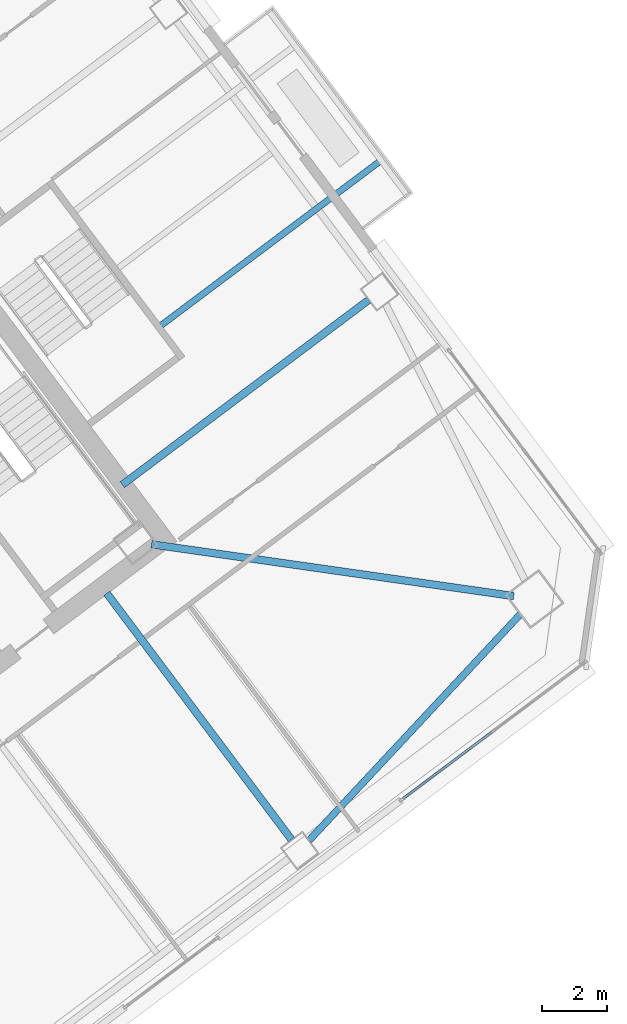
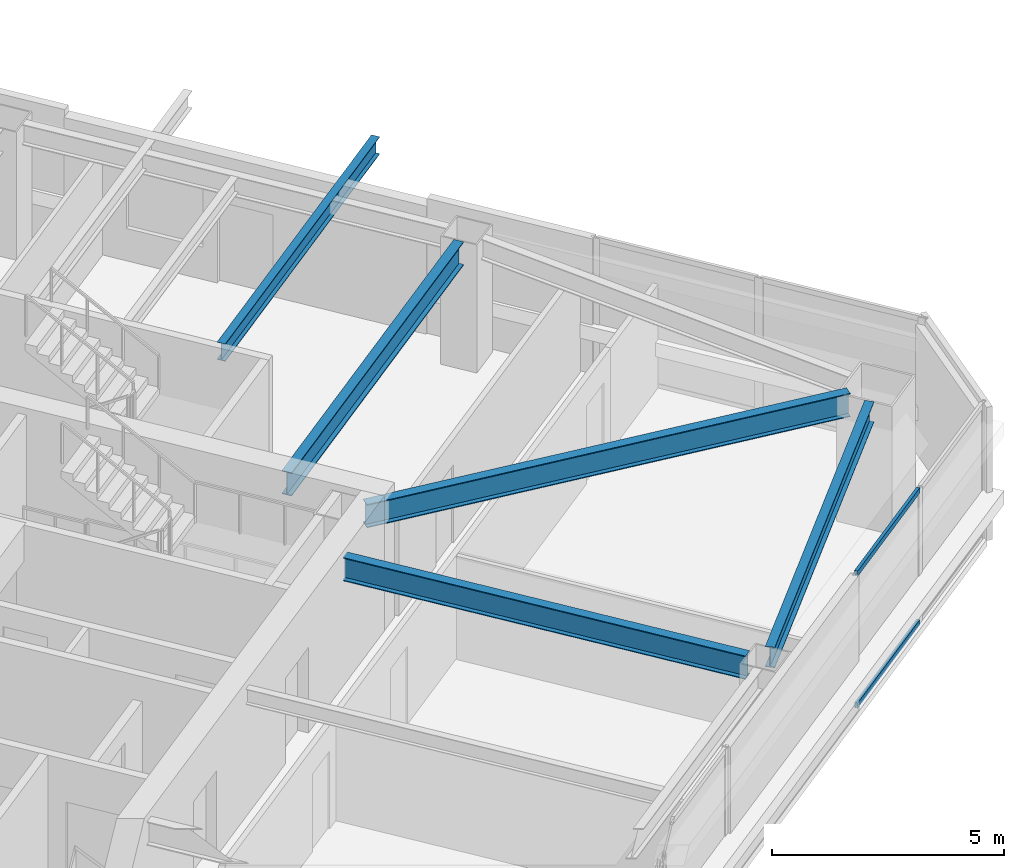
# One storey, part 25 of 44: 5 beams, 2 members, 1 element without a shape of its own.
"""IFC4 building model written with IfcOpenShell, lengths in metres."""

from ifc_helpers import new_model, si_unit, direction, frame, origin, origin_2d, place, context, subcontext, project, spatial, hollow_rectangle, i_section, extrude, material, material_profile, profile_set, type_object, element, aggregate, save


model = new_model("IFC4")

# Units and contexts
model_context = context("Model", 3, precision=1e-05, world=origin(), true_north=direction((0.0, 1.0)))
body_context = subcontext(model_context, "Body", "Model", "MODEL_VIEW")
ifc_project = project(units=[si_unit("LENGTHUNIT", "METRE"), si_unit("AREAUNIT", "SQUARE_METRE"), si_unit("VOLUMEUNIT", "CUBIC_METRE"), si_unit("PLANEANGLEUNIT", "RADIAN"), si_unit("MASSUNIT", "GRAM", prefix="KILO")], contexts=[model_context])

# Site, building, storey
site_placement = place(None, origin())
site = spatial("IfcSite", under=ifc_project, at=site_placement, CompositionType="ELEMENT")
building_placement = place(site_placement, origin())
building = spatial("IfcBuilding", under=site, at=building_placement, Name="Tashvorn Skyway Center", CompositionType="ELEMENT")
storey_placement = place(building_placement, frame((0.0, 0.0, 128.60009765625)))
storey = spatial("IfcBuildingStorey", under=building, at=storey_placement, Name="L34", CompositionType="ELEMENT", Elevation=128.60009765625)

# Beams
ifc_material_1 = material(Name="Steel ASTM A992 Grade 50", Category="steel")
ifc_material_profile_1 = material_profile(ifc_material_1, i_section(OverallWidth=0.22998046875, OverallDepth=0.616943359375, WebThickness=0.01318359375, FlangeThickness=0.022216796875, at=origin_2d()), Name="W24X94")
ifc_profile_set_1 = profile_set([ifc_material_profile_1], Name="Steel ASTM A992 Grade 50")
beam_type_1 = type_object("IfcBeamType", Name="BM-BEAM-W24X94", PredefinedType="BEAM", material=ifc_profile_set_1)
beam_1_placement = place(storey_placement, frame((135.4814453125, 28.93115234375, 3.0615234375), z_axis=(-0.989948189712, 0.141430483583, 0.0), x_axis=(-0.141430483583, -0.989948189712, 0.0)))
element("IfcBeam", 1, at=beam_1_placement, inside=storey, type_object=beam_type_1, Name="Tower 2 L34 Primary Floor Girder MC-SE", PredefinedType="BEAM", context=body_context, shape_type="SweptSolid", body=[
    extrude(i_section(OverallWidth=0.22998046875, OverallDepth=0.616943359375, WebThickness=0.01318359375, FlangeThickness=0.022216796875, at=origin_2d()), origin(), (0.0, 0.0, 1.0), 11.234375),
])
for number, where, z_axis, x_axis, name in (
    (2, (128.657958984375, 21.4560546875, 3.0615234375), (-0.599991732772, 0.800006200354, 0.0), (-0.800006200354, -0.599991732772, 0.0), "Tower 2 L34 Primary Floor Girder FC-S2"),
    (3, (131.02392578125, 38.01806640625, 3.0615234375), (-0.799984498661, -0.600020667896, 0.0), (0.600020667896, -0.799984498661, 0.0), "Tower 2 L34 Primary Floor Girder FC-E1"),
):
    element("IfcBeam", number, at=place(storey_placement, frame(where, z_axis=z_axis, x_axis=x_axis)), inside=storey, type_object=beam_type_1, Name=name, PredefinedType="BEAM", context=body_context, shape_type="SweptSolid", body=[
        extrude(i_section(OverallWidth=0.22998046875, OverallDepth=0.616943359375, WebThickness=0.01318359375, FlangeThickness=0.022216796875, at=origin_2d()), origin(), (0.0, 0.0, 1.0), 9.449951171875),
    ])
ifc_material_profile_2 = material_profile(ifc_material_1, i_section(OverallWidth=0.19091796875, OverallDepth=0.4599609375, WebThickness=0.010009765625, FlangeThickness=0.01611328125, at=origin_2d()), Name="W18X55")
ifc_profile_set_2 = profile_set([ifc_material_profile_2], Name="Steel ASTM A992 Grade 50")
beam_type_2 = type_object("IfcBeamType", Name="BM-JOIST-W18X55", PredefinedType="JOIST", material=ifc_profile_set_2)
beam_2_placement = place(storey_placement, frame((124.656005859375, 37.241943359375, 3.139892578125), z_axis=(0.799989635456, 0.600013819143, 0.0), x_axis=(-0.600013819143, 0.799989635456, 0.0)))
element("IfcBeam", 4, at=beam_2_placement, inside=storey, type_object=beam_type_2, Name="Tower 2 L35 Terrace Cantilever Outlooker 1", PredefinedType="JOIST", context=body_context, shape_type="SweptSolid", body=[
    extrude(i_section(OverallWidth=0.19091796875, OverallDepth=0.4599609375, WebThickness=0.010009765625, FlangeThickness=0.01611328125, at=origin_2d()), origin(), (0.0, 0.0, 1.0), 8.47998046875),
])
ifc_material_profile_3 = material_profile(ifc_material_1, i_section(OverallWidth=0.2109375, OverallDepth=0.5390625, WebThickness=0.01171875, FlangeThickness=0.018798828125, at=origin_2d()), Name="W21X73")
ifc_profile_set_3 = profile_set([ifc_material_profile_3], Name="Steel ASTM A992 Grade 50")
beam_type_3 = type_object("IfcBeamType", Name="BM-SPANDREL-W21X73", PredefinedType="SPANDREL", material=ifc_profile_set_3)
beam_3_placement = place(storey_placement, frame((129.19677734375, 21.427001953125, 3.100341796875), z_axis=(0.682545341102, 0.730843250868, 0.0), x_axis=(-0.730843250868, 0.682545341102, 0.0)))
element("IfcBeam", 5, at=beam_3_placement, inside=storey, type_object=beam_type_3, Name="Tower 2 L34 Spandrel Beam 03", PredefinedType="SPANDREL", context=body_context, shape_type="SweptSolid", body=[
    extrude(i_section(OverallWidth=0.2109375, OverallDepth=0.5390625, WebThickness=0.01171875, FlangeThickness=0.018798828125, at=origin_2d()), origin(), (0.0, 0.0, 1.0), 9.498046875),
])

# Curtain wall, members
ifc_material_2 = material(Name="Thermally broken bronze-anodized aluminium 6063-T6", Category="aluminium")
curtain_wall_type = type_object("IfcCurtainWallType", Name="CW-CW-Z3", PredefinedType="NOTDEFINED", material=ifc_material_2)
curtain_wall_placement = place(storey_placement, origin())
curtain_wall = element("IfcCurtainWall", 6, at=curtain_wall_placement, inside=storey, type_object=curtain_wall_type, Name="Tower 2 L34 South Unitised Curtain Wall Glazing Group 1", PredefinedType="NOTDEFINED")
ifc_material_profile_4 = material_profile(ifc_material_2, hollow_rectangle(XDim=0.074951171875, YDim=0.139892578125, WallThickness=0.004150390625, at=origin_2d()), Name="ALU-TRAN-75x140")
ifc_profile_set_4 = profile_set([ifc_material_profile_4], Name="Thermally broken bronze-anodized aluminium 6063-T6")
member_type = type_object("IfcMemberType", Name="CWT-CW-Z3", PredefinedType="USERDEFINED", material=ifc_profile_set_4)
member_1_placement = place(storey_placement, frame((134.81884765625, 24.76416015625, 0.037353515625), z_axis=(-0.800008575267, -0.59998856614, 0.0), x_axis=(0.59998856614, -0.800008575267, 0.0)))
member_1 = element("IfcMember", 7, at=member_1_placement, type_object=member_type, Name="CW-Z3 transom 2.1", ObjectType="TRANSOM", PredefinedType="USERDEFINED", context=body_context, shape_type="SweptSolid", body=[
    extrude(hollow_rectangle(XDim=0.074951171875, YDim=0.139892578125, WallThickness=0.004150390625, at=origin_2d()), origin(), (0.0, 0.0, 1.0), 3.41650390625),
])
member_2_placement = place(storey_placement, frame((134.81884765625, 24.76416015625, 3.512451171875), z_axis=(-0.800008575267, -0.59998856614, 0.0), x_axis=(0.59998856614, -0.800008575267, 0.0)))
member_2 = element("IfcMember", 8, at=member_2_placement, type_object=member_type, Name="CW-Z3 transom 2.2", ObjectType="TRANSOM", PredefinedType="USERDEFINED", context=body_context, shape_type="SweptSolid", body=[
    extrude(hollow_rectangle(XDim=0.074951171875, YDim=0.139892578125, WallThickness=0.004150390625, at=origin_2d()), origin(), (0.0, 0.0, 1.0), 3.41650390625),
])
aggregate(curtain_wall, [member_1, member_2])

save(model, "model.ifc")
